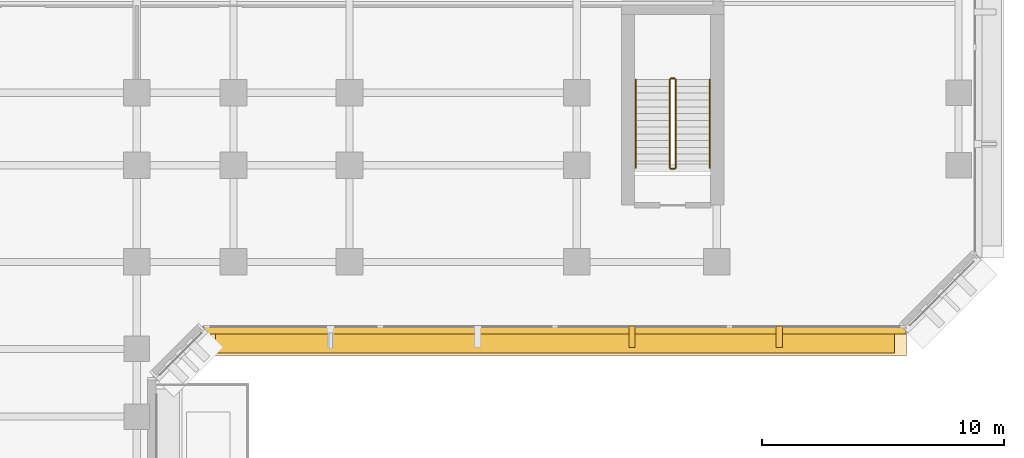
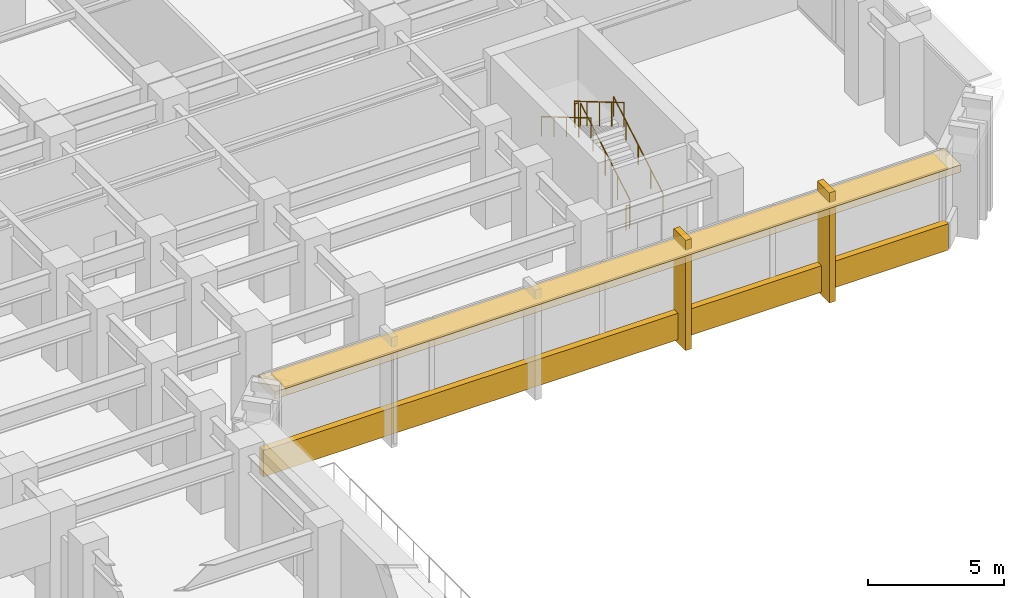
# One storey, part 12 of 16: 6 railings, 4 coverings, 1 shading device.
"""IFC4 building model written with IfcOpenShell, lengths in metres."""

from ifc_helpers import new_model, si_unit, direction, frame, origin, origin_2d, place, context, subcontext, project, spatial, rectangle, circle, extrude, material, layer, layer_set, type_object, element, save


model = new_model("IFC4")

# Units and contexts
model_context = context("Model", 3, precision=1e-05, world=origin(), true_north=direction((0.0, 1.0)))
body_context = subcontext(model_context, "Body", "Model", "MODEL_VIEW")
ifc_project = project(units=[si_unit("LENGTHUNIT", "METRE"), si_unit("AREAUNIT", "SQUARE_METRE"), si_unit("VOLUMEUNIT", "CUBIC_METRE"), si_unit("PLANEANGLEUNIT", "RADIAN"), si_unit("MASSUNIT", "GRAM", prefix="KILO")], contexts=[model_context])

# Site, building, storey
site_placement = place(None, origin())
site = spatial("IfcSite", under=ifc_project, at=site_placement, CompositionType="ELEMENT")
building_placement = place(site_placement, origin())
building = spatial("IfcBuilding", under=site, at=building_placement, Name="Kefirva Bronze Tower", CompositionType="ELEMENT")
storey_placement = place(building_placement, frame((0.0, 0.0, 21.1201171875)))
storey = spatial("IfcBuildingStorey", under=building, at=storey_placement, Name="L04", CompositionType="ELEMENT", Elevation=21.1201171875)

# Covering
ifc_material_1 = material(Name="Bronze anodised aluminium", Category="aluminium")
ifc_layer_1 = layer(ifc_material_1, 0.02001953125, Name="Bronze anodised aluminium")
ifc_layer_set_1 = layer_set([ifc_layer_1], Name="Bronze anodised aluminium")
covering_type_1 = type_object("IfcCoveringType", Name="Anodised Bronze Spandrel Cladding 20mm", PredefinedType="CLADDING", material=ifc_layer_set_1)
covering_1_placement = place(storey_placement, frame((48.5, 15.9599609375, -0.16015625), z_axis=(0.0, 0.0, 1.0), x_axis=(1.0, 0.0, 0.0)))
element("IfcCovering", 1, at=covering_1_placement, inside=storey, type_object=covering_type_1, Name="L04 Streamline Horizontal Spandrel Band 4", PredefinedType="CLADDING", context=body_context, shape_type="SweptSolid", body=[
    extrude(rectangle(XDim=29.0400390625, YDim=0.280029296875, at=origin_2d()), origin(), (0.0, 0.0, 1.0), 1.179931640625),
])

# Railings
ifc_material_2 = material(Name="Stainless steel 316", Category="steel")
railing_type_1 = type_object("IfcRailingType", Name="Interior Stair Guardrail 1100mm", PredefinedType="GUARDRAIL", material=ifc_material_2)
railing_1_placement = place(storey_placement, frame((53.5, 22.699951171875, 0.164794921875)))
element("IfcRailing", 2, at=railing_1_placement, inside=storey, type_object=railing_type_1, Name="L04 ST-4 stair guard 1", PredefinedType="GUARDRAIL", context=body_context, shape_type="SweptSolid", body=[
    extrude(circle(Radius=0.02392578125, at=origin_2d()), frame((0.0, 0.0, 1.076171875), z_axis=(0.0, 0.861544779993, 0.507681585313), x_axis=(-1.0, 0.0, 0.0)), (0.0, 0.0, 1.0), 4.22509765625),
    extrude(circle(Radius=0.02099609375, at=origin_2d()), origin(), (0.0, 0.0, 1.0), 1.052001953125),
    extrude(circle(Radius=0.02099609375, at=origin_2d()), frame((0.0, 0.91015625, 0.5361328125)), (0.0, 0.0, 1.0), 1.052001953125),
    extrude(circle(Radius=0.02099609375, at=origin_2d()), frame((0.0, 1.820068359375, 1.072509765625)), (0.0, 0.0, 1.0), 1.052001953125),
    extrude(circle(Radius=0.02099609375, at=origin_2d()), frame((0.0, 2.72998046875, 1.60888671875)), (0.0, 0.0, 1.0), 1.052001953125),
    extrude(circle(Radius=0.02099609375, at=origin_2d()), frame((0.0, 3.64013671875, 2.14501953125)), (0.0, 0.0, 1.0), 1.052001953125),
])
railing_2_placement = place(storey_placement, frame((53.449951171875, 26.389892578125, 2.309814453125)))
element("IfcRailing", 3, at=railing_2_placement, inside=storey, type_object=railing_type_1, Name="L04 ST-4 stair guard 2", PredefinedType="GUARDRAIL", context=body_context, shape_type="SweptSolid", body=[
    extrude(circle(Radius=0.02392578125, at=origin_2d()), frame((0.0, 0.0, 1.076171875), z_axis=(-1.0, 0.0, 0.0), x_axis=(0.0, -1.0, 0.0)), (0.0, 0.0, 1.0), 0.14990234375),
    extrude(circle(Radius=0.02099609375, at=origin_2d()), origin(), (0.0, 0.0, 1.0), 1.052001953125),
    extrude(circle(Radius=0.02099609375, at=origin_2d()), frame((-0.14990234375, 0.0, 0.0)), (0.0, 0.0, 1.0), 1.052001953125),
])
railing_3_placement = place(storey_placement, frame((53.25, 26.340087890625, 2.474853515625)))
element("IfcRailing", 4, at=railing_3_placement, inside=storey, type_object=railing_type_1, Name="L04 ST-4 stair guard 3", PredefinedType="GUARDRAIL", context=body_context, shape_type="SweptSolid", body=[
    extrude(circle(Radius=0.02392578125, at=origin_2d()), frame((0.0, 0.0, 1.076171875), z_axis=(0.0, -0.861544779993, 0.507681585313), x_axis=(1.0, 0.0, 0.0)), (0.0, 0.0, 1.0), 4.22509765625),
    extrude(circle(Radius=0.02099609375, at=origin_2d()), origin(), (0.0, 0.0, 1.0), 1.052001953125),
    extrude(circle(Radius=0.02099609375, at=origin_2d()), frame((0.0, -0.91015625, 0.5361328125)), (0.0, 0.0, 1.0), 1.052001953125),
    extrude(circle(Radius=0.02099609375, at=origin_2d()), frame((0.0, -1.820068359375, 1.072509765625)), (0.0, 0.0, 1.0), 1.052001953125),
    extrude(circle(Radius=0.02099609375, at=origin_2d()), frame((0.0, -2.72998046875, 1.60888671875)), (0.0, 0.0, 1.0), 1.052001953125),
    extrude(circle(Radius=0.02099609375, at=origin_2d()), frame((0.0, -3.64013671875, 2.14501953125)), (0.0, 0.0, 1.0), 1.052001953125),
])
railing_4_placement = place(storey_placement, frame((53.449951171875, 22.64990234375, 0.0)))
element("IfcRailing", 5, at=railing_4_placement, inside=storey, type_object=railing_type_1, Name="L04 ST-4 stair guard 4", PredefinedType="GUARDRAIL", context=body_context, shape_type="SweptSolid", body=[
    extrude(circle(Radius=0.02392578125, at=origin_2d()), frame((0.0, 0.0, 1.076171875), z_axis=(-1.0, 0.0, 0.0), x_axis=(0.0, -1.0, 0.0)), (0.0, 0.0, 1.0), 0.14990234375),
    extrude(circle(Radius=0.02099609375, at=origin_2d()), origin(), (0.0, 0.0, 1.0), 1.052001953125),
    extrude(circle(Radius=0.02099609375, at=origin_2d()), frame((-0.14990234375, 0.0, 0.0)), (0.0, 0.0, 1.0), 1.052001953125),
])

# Shading device
ifc_layer_2 = layer(ifc_material_1, 0.1201171875, Name="Bronze anodised aluminium")
ifc_layer_set_2 = layer_set([ifc_layer_2], Name="Bronze anodised aluminium")
shading_device_type = type_object("IfcShadingDeviceType", Name="Podium Deep Bronze Canopy Sunshade 1050mm", PredefinedType="JALOUSIE", material=ifc_layer_set_2)
shading_device_placement = place(storey_placement, frame((48.5, 15.554931640625, 4.0947265625), z_axis=(0.0, 0.0, 1.0), x_axis=(1.0, 0.0, 0.0)))
element("IfcShadingDevice", 6, at=shading_device_placement, inside=storey, type_object=shading_device_type, Name="L04 Horizontal Bronze Sunshade Band 4", PredefinedType="JALOUSIE", context=body_context, shape_type="SweptSolid", body=[
    extrude(rectangle(XDim=28.090087890625, YDim=1.050048828125, at=origin_2d()), origin(), (0.0, 0.0, 1.0), 0.090087890625),
])

# Railings
railing_type_2 = type_object("IfcRailingType", Name="Stair Pitch Handrail 900mm", PredefinedType="HANDRAIL", material=ifc_material_2)
railing_5_placement = place(storey_placement, frame((54.89990234375, 22.699951171875, 0.164794921875)))
element("IfcRailing", 7, at=railing_5_placement, inside=storey, type_object=railing_type_2, Name="L04 ST-4 stair handrail 1", PredefinedType="HANDRAIL", context=body_context, shape_type="SweptSolid", body=[
    extrude(circle(Radius=0.02392578125, at=origin_2d()), frame((0.0, 0.0, 0.8759765625), z_axis=(0.0, 0.861544779993, 0.507681585313), x_axis=(-1.0, 0.0, 0.0)), (0.0, 0.0, 1.0), 4.22509765625),
    extrude(circle(Radius=0.02099609375, at=origin_2d()), origin(), (0.0, 0.0, 1.0), 0.851806640625),
    extrude(circle(Radius=0.02099609375, at=origin_2d()), frame((0.0, 0.91015625, 0.5361328125)), (0.0, 0.0, 1.0), 0.851806640625),
    extrude(circle(Radius=0.02099609375, at=origin_2d()), frame((0.0, 1.820068359375, 1.072509765625)), (0.0, 0.0, 1.0), 0.851806640625),
    extrude(circle(Radius=0.02099609375, at=origin_2d()), frame((0.0, 2.72998046875, 1.60888671875)), (0.0, 0.0, 1.0), 0.851806640625),
    extrude(circle(Radius=0.02099609375, at=origin_2d()), frame((0.0, 3.64013671875, 2.14501953125)), (0.0, 0.0, 1.0), 0.851806640625),
])
railing_6_placement = place(storey_placement, frame((51.85009765625, 26.340087890625, 2.474853515625)))
element("IfcRailing", 8, at=railing_6_placement, inside=storey, type_object=railing_type_2, Name="L04 ST-4 stair handrail 2", PredefinedType="HANDRAIL", context=body_context, shape_type="SweptSolid", body=[
    extrude(circle(Radius=0.02392578125, at=origin_2d()), frame((0.0, 0.0, 0.8759765625), z_axis=(0.0, -0.861544779993, 0.507681585313), x_axis=(1.0, 0.0, 0.0)), (0.0, 0.0, 1.0), 4.22509765625),
    extrude(circle(Radius=0.02099609375, at=origin_2d()), origin(), (0.0, 0.0, 1.0), 0.851806640625),
    extrude(circle(Radius=0.02099609375, at=origin_2d()), frame((0.0, -0.91015625, 0.5361328125)), (0.0, 0.0, 1.0), 0.851806640625),
    extrude(circle(Radius=0.02099609375, at=origin_2d()), frame((0.0, -1.820068359375, 1.072509765625)), (0.0, 0.0, 1.0), 0.851806640625),
    extrude(circle(Radius=0.02099609375, at=origin_2d()), frame((0.0, -2.72998046875, 1.60888671875)), (0.0, 0.0, 1.0), 0.851806640625),
    extrude(circle(Radius=0.02099609375, at=origin_2d()), frame((0.0, -3.64013671875, 2.14501953125)), (0.0, 0.0, 1.0), 0.851806640625),
])

# Coverings
ifc_layer_3 = layer(ifc_material_1, 0.179931640625, Name="Bronze anodised aluminium")
ifc_layer_set_3 = layer_set([ifc_layer_3], Name="Bronze anodised aluminium")
covering_type_2 = type_object("IfcCoveringType", Name="Streamline Bronze Sunshade Eyebrow Cladding 180mm", PredefinedType="CLADDING", material=ifc_layer_set_3)
covering_2_placement = place(storey_placement, frame((48.5, 15.5400390625, 3.8798828125), z_axis=(0.0, 0.0, 1.0), x_axis=(1.0, 0.0, 0.0)))
element("IfcCovering", 9, at=covering_2_placement, inside=storey, type_object=covering_type_2, Name="L04 Streamline Bronze Sunshade Eyebrow 4", PredefinedType="CLADDING", context=body_context, shape_type="SweptSolid", body=[
    extrude(rectangle(XDim=29.080078125, YDim=1.239990234375, at=origin_2d()), origin(), (0.0, 0.0, 1.0), 0.320068359375),
])
ifc_layer_4 = layer(ifc_material_1, 0.260009765625, Name="Bronze anodised aluminium")
ifc_layer_set_4 = layer_set([ifc_layer_4], Name="Bronze anodised aluminium")
covering_type_3 = type_object("IfcCoveringType", Name="Unbroken Bronze Buttress Fin Cladding 260mm", PredefinedType="CLADDING", material=ifc_layer_set_4)
for number, where, z_axis, x_axis, name in (
    (10, (51.68994140625, 15.699951171875, -0.320068359375), (0.0, 0.0, 1.0), (1.0, 0.0, 0.0), "L04 Unbroken Vertical Bronze Rib Fin 11"),
    (11, (57.780029296875, 15.699951171875, -0.320068359375), (0.0, 0.0, 1.0), (1.0, 0.0, 0.0), "L04 Unbroken Vertical Bronze Rib Fin 12"),
):
    element("IfcCovering", number, at=place(storey_placement, frame(where, z_axis=z_axis, x_axis=x_axis)), inside=storey, type_object=covering_type_3, Name=name, PredefinedType="CLADDING", context=body_context, shape_type="SweptSolid", body=[
        extrude(rectangle(XDim=0.260009765625, YDim=0.8798828125, at=origin_2d()), origin(), (0.0, 0.0, 1.0), 4.93994140625),
    ])

save(model, "model.ifc")
